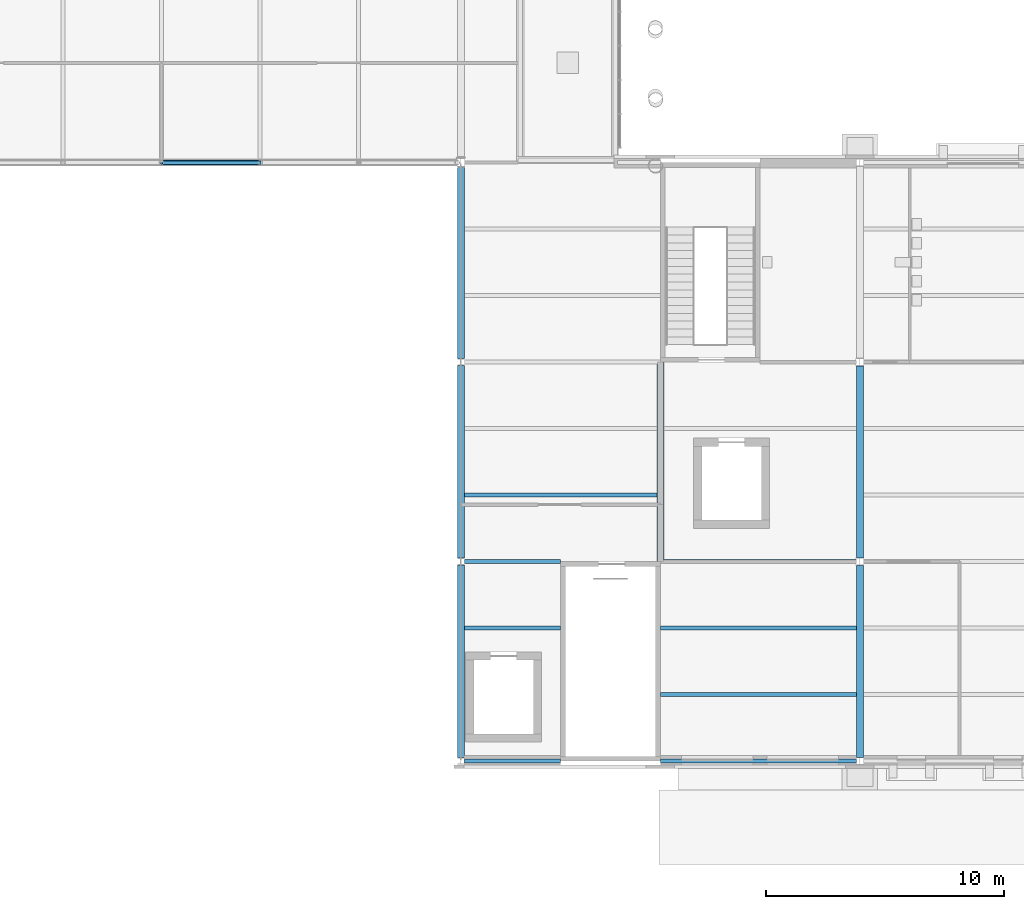
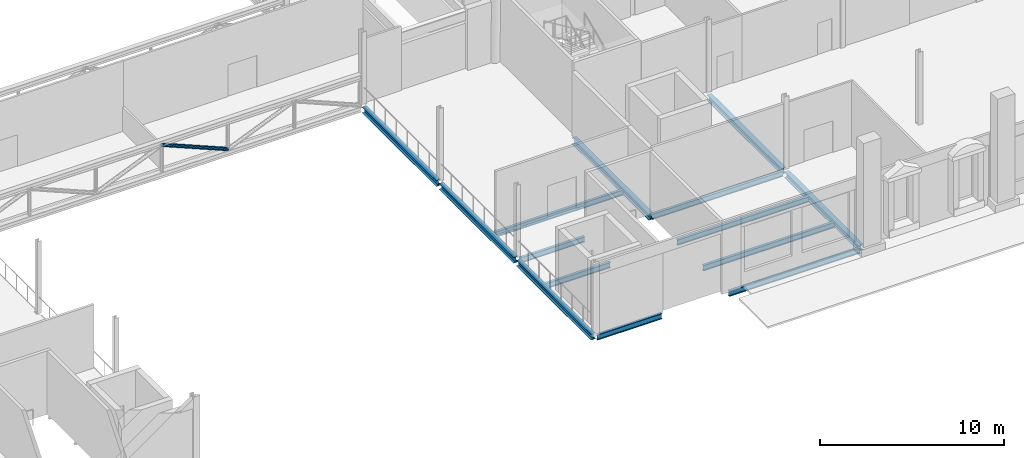
# One storey, part 22 of 76: 14 beams, 1 member.
"""IFC4 building model written with IfcOpenShell, lengths in metres."""

from ifc_helpers import new_model, si_unit, direction, frame, origin, origin_2d, place, context, subcontext, project, spatial, hollow_circle, i_section, extrude, material, material_profile, profile_set, type_object, element, save


model = new_model("IFC4")

# Units and contexts
model_context = context("Model", 3, precision=1e-05, world=origin(), true_north=direction((0.0, 1.0)))
body_context = subcontext(model_context, "Body", "Model", "MODEL_VIEW")
ifc_project = project(units=[si_unit("LENGTHUNIT", "METRE"), si_unit("AREAUNIT", "SQUARE_METRE"), si_unit("VOLUMEUNIT", "CUBIC_METRE"), si_unit("PLANEANGLEUNIT", "RADIAN"), si_unit("MASSUNIT", "GRAM", prefix="KILO")], contexts=[model_context])

# Site, building, storey
site_placement = place(None, origin())
site = spatial("IfcSite", under=ifc_project, at=site_placement, CompositionType="ELEMENT")
building_placement = place(site_placement, origin())
building = spatial("IfcBuilding", under=site, at=building_placement, Name="Sava Quay Ferry Terminal", CompositionType="ELEMENT")
storey_placement = place(building_placement, frame((0.0, 0.0, 6.0)))
storey = spatial("IfcBuildingStorey", under=building, at=storey_placement, Name="L01", CompositionType="ELEMENT", Elevation=6.0)

# Beams
ifc_material_1 = material(Name="Steel S355", Category="steel")
ifc_material_profile_1 = material_profile(ifc_material_1, i_section(OverallWidth=0.169921875, OverallDepth=0.360107421875, WebThickness=0.008056640625, FlangeThickness=0.0126953125, at=origin_2d()), Name="IPE 360")
ifc_profile_set_1 = profile_set([ifc_material_profile_1], Name="Steel S355")
beam_type_1 = type_object("IfcBeamType", Name="Beam IPE 360", PredefinedType="BEAM", material=ifc_profile_set_1)
for number, where, z_axis, x_axis, name in (
    (1, (75.75, 25.199951171875, -0.31005859375), (1.0, 0.0, 0.0), (0.0, 1.0, 0.0), "Beam L01"),
    (2, (75.75, 33.60009765625, -0.31005859375), (1.0, 0.0, 0.0), (0.0, 1.0, 0.0), "Beam L01"),
    (3, (75.75, 30.800048828125, -0.31005859375), (1.0, 0.0, 0.0), (0.0, 1.0, 0.0), "Secondary beam L01"),
):
    element("IfcBeam", number, at=place(storey_placement, frame(where, z_axis=z_axis, x_axis=x_axis)), inside=storey, type_object=beam_type_1, Name=name, PredefinedType="BEAM", context=body_context, shape_type="SweptSolid", body=[
        extrude(i_section(OverallWidth=0.169921875, OverallDepth=0.360107421875, WebThickness=0.008056640625, FlangeThickness=0.0126953125, at=origin_2d()), origin(), (0.0, 0.0, 1.0), 4.050048828125),
    ])
beam_1_placement = place(storey_placement, frame((75.75, 36.39990234375, -0.31005859375), z_axis=(1.0, 0.0, 0.0), x_axis=(0.0, 1.0, 0.0)))
element("IfcBeam", 4, at=beam_1_placement, inside=storey, type_object=beam_type_1, Name="Secondary beam L01", PredefinedType="BEAM", context=body_context, shape_type="SweptSolid", body=[
    extrude(i_section(OverallWidth=0.169921875, OverallDepth=0.360107421875, WebThickness=0.008056640625, FlangeThickness=0.0126953125, at=origin_2d()), origin(), (0.0, 0.0, 1.0), 8.10009765625),
])
for number, where, z_axis, x_axis, name in (
    (5, (84.0, 25.199951171875, -0.31005859375), (1.0, 0.0, 0.0), (0.0, 1.0, 0.0), "Beam L01"),
    (6, (84.0, 33.60009765625, -0.31005859375), (1.0, 0.0, 0.0), (0.0, 1.0, 0.0), "Beam L01"),
    (7, (84.0, 28.0, -0.31005859375), (1.0, 0.0, 0.0), (0.0, 1.0, 0.0), "Secondary beam L01"),
    (8, (84.0, 30.800048828125, -0.31005859375), (1.0, 0.0, 0.0), (0.0, 1.0, 0.0), "Secondary beam L01"),
):
    element("IfcBeam", number, at=place(storey_placement, frame(where, z_axis=z_axis, x_axis=x_axis)), inside=storey, type_object=beam_type_1, Name=name, PredefinedType="BEAM", context=body_context, shape_type="SweptSolid", body=[
        extrude(i_section(OverallWidth=0.169921875, OverallDepth=0.360107421875, WebThickness=0.008056640625, FlangeThickness=0.0126953125, at=origin_2d()), origin(), (0.0, 0.0, 1.0), 8.25),
    ])

# Member
ifc_material_2 = material(Name="Steel S355", Category="steel")
ifc_material_profile_2 = material_profile(ifc_material_2, hollow_circle(Radius=0.109619140625, WallThickness=0.010009765625, at=origin_2d()), Name="CHS 219.1 x 10")
ifc_profile_set_2 = profile_set([ifc_material_profile_2], Name="Steel S355")
member_type = type_object("IfcMemberType", Name="Brace CHS 219.1 x 10", PredefinedType="BRACE", material=ifc_profile_set_2)
member_placement = place(storey_placement, frame((67.14990234375, 50.39990234375, -0.1298828125), z_axis=(-0.922217474343, 0.0, 0.386671604874), x_axis=(0.0, -1.0, 0.0)))
element("IfcMember", 9, at=member_placement, inside=storey, type_object=member_type, Name="Truss diagonal 50.4", PredefinedType="BRACE", context=body_context, shape_type="SweptSolid", body=[
    extrude(hollow_circle(Radius=0.109619140625, WallThickness=0.010009765625, at=origin_2d()), origin(), (0.0, 0.0, 1.0), 4.5),
])

# Beams
ifc_material_3 = material(Name="Steel S355", Category="steel")
ifc_material_profile_3 = material_profile(ifc_material_3, i_section(OverallWidth=0.300048828125, OverallDepth=0.389892578125, WebThickness=0.010986328125, FlangeThickness=0.01904296875, at=origin_2d()), Name="HE 400 A")
ifc_profile_set_3 = profile_set([ifc_material_profile_3], Name="Steel S355")
beam_type_2 = type_object("IfcBeamType", Name="Girder HE 400 A", PredefinedType="BEAM", material=ifc_profile_set_3)
beam_2_placement = place(storey_placement, frame((75.60009765625, 25.35009765625, -0.324951171875), z_axis=(0.0, 1.0, 0.0), x_axis=(-1.0, 0.0, 0.0)))
element("IfcBeam", 10, at=beam_2_placement, inside=storey, type_object=beam_type_2, Name="Girder L01", PredefinedType="BEAM", context=body_context, shape_type="SweptSolid", body=[
    extrude(i_section(OverallWidth=0.300048828125, OverallDepth=0.389892578125, WebThickness=0.010986328125, FlangeThickness=0.01904296875, at=origin_2d()), origin(), (0.0, 0.0, 1.0), 8.099853515625),
])
beam_3_placement = place(storey_placement, frame((75.60009765625, 33.75, -0.324951171875), z_axis=(0.0, 1.0, 0.0), x_axis=(-1.0, 0.0, 0.0)))
element("IfcBeam", 11, at=beam_3_placement, inside=storey, type_object=beam_type_2, Name="Girder L01", PredefinedType="BEAM", context=body_context, shape_type="SweptSolid", body=[
    extrude(i_section(OverallWidth=0.300048828125, OverallDepth=0.389892578125, WebThickness=0.010986328125, FlangeThickness=0.01904296875, at=origin_2d()), origin(), (0.0, 0.0, 1.0), 8.10009765625),
])
beam_4_placement = place(storey_placement, frame((75.60009765625, 42.14990234375, -0.324951171875), z_axis=(0.0, 1.0, 0.0), x_axis=(-1.0, 0.0, 0.0)))
element("IfcBeam", 12, at=beam_4_placement, inside=storey, type_object=beam_type_2, Name="Girder L01", PredefinedType="BEAM", context=body_context, shape_type="SweptSolid", body=[
    extrude(i_section(OverallWidth=0.300048828125, OverallDepth=0.389892578125, WebThickness=0.010986328125, FlangeThickness=0.01904296875, at=origin_2d()), origin(), (0.0, 0.0, 1.0), 8.050048828125),
])
beam_5_placement = place(storey_placement, frame((84.0, 33.60009765625, -0.324951171875), z_axis=(0.0, 1.0, 0.0), x_axis=(-1.0, 0.0, 0.0)))
element("IfcBeam", 13, at=beam_5_placement, inside=storey, type_object=beam_type_2, Name="Girder L01", PredefinedType="BEAM", context=body_context, shape_type="SweptSolid", body=[
    extrude(i_section(OverallWidth=0.300048828125, OverallDepth=0.389892578125, WebThickness=0.010986328125, FlangeThickness=0.01904296875, at=origin_2d()), origin(), (0.0, 0.0, 1.0), 8.39990234375),
])
beam_6_placement = place(storey_placement, frame((92.39990234375, 25.360107421875, -0.324951171875), z_axis=(0.0, 1.0, 0.0), x_axis=(-1.0, 0.0, 0.0)))
element("IfcBeam", 14, at=beam_6_placement, inside=storey, type_object=beam_type_2, Name="Girder L01", PredefinedType="BEAM", context=body_context, shape_type="SweptSolid", body=[
    extrude(i_section(OverallWidth=0.300048828125, OverallDepth=0.389892578125, WebThickness=0.010986328125, FlangeThickness=0.01904296875, at=origin_2d()), origin(), (0.0, 0.0, 1.0), 8.079833984375),
])
beam_7_placement = place(storey_placement, frame((92.39990234375, 33.760009765625, -0.324951171875), z_axis=(0.0, 1.0, 0.0), x_axis=(-1.0, 0.0, 0.0)))
element("IfcBeam", 15, at=beam_7_placement, inside=storey, type_object=beam_type_2, Name="Girder L01", PredefinedType="BEAM", context=body_context, shape_type="SweptSolid", body=[
    extrude(i_section(OverallWidth=0.300048828125, OverallDepth=0.389892578125, WebThickness=0.010986328125, FlangeThickness=0.01904296875, at=origin_2d()), origin(), (0.0, 0.0, 1.0), 8.080078125),
])

save(model, "model.ifc")
